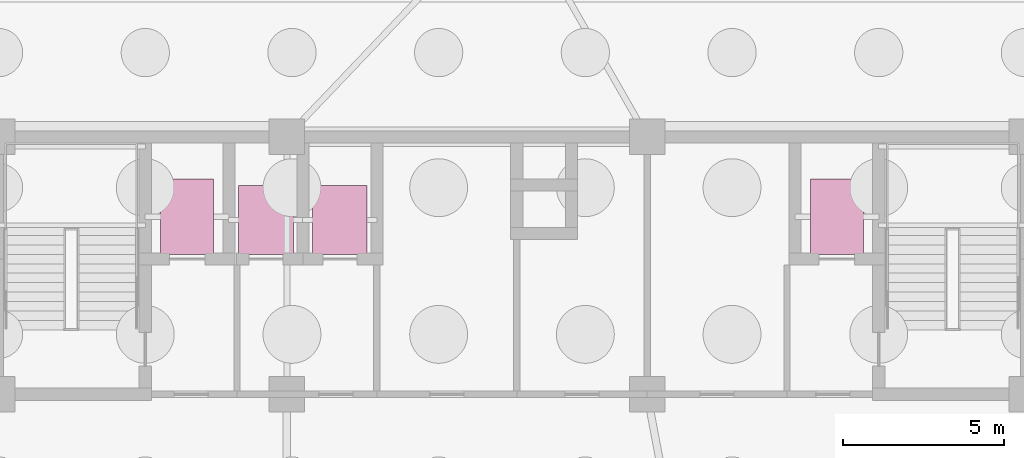
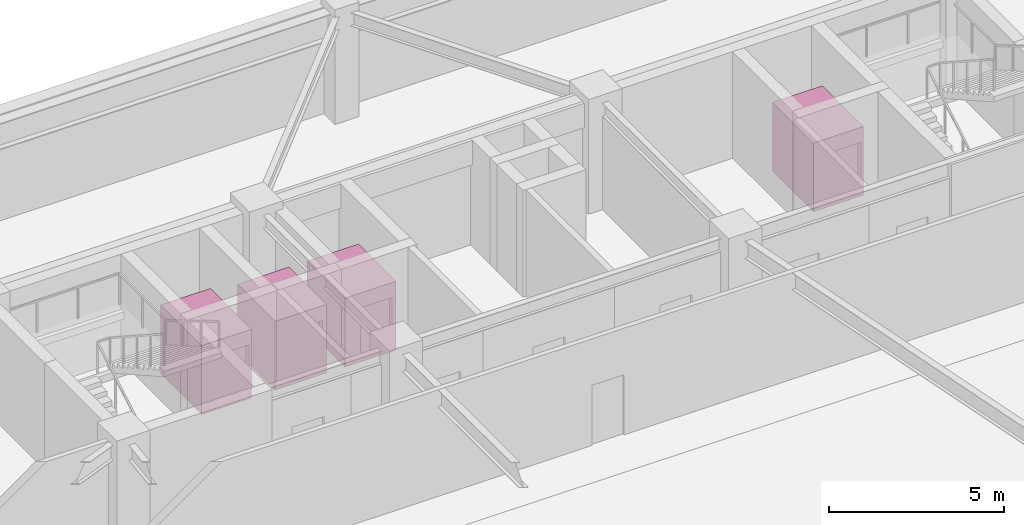
# One storey, part 10 of 10: 4 transport elements.
"""IFC4 building model written with IfcOpenShell, lengths in metres."""

import ifcopenshell
import ifcopenshell.guid

model = None  # the IFC model being written
_history = None  # IfcOwnerHistory: only IFC2X3 demands one
_inside = {}  # id of a spatial element -> (the spatial element, [elements in it])
_under = {}  # id of a project, library or spatial element -> (it, [spatial elements below it])
_declared = {}  # id of a project -> (the project, [libraries it declares])
_typed = {}  # id of a type object -> (the type object, [elements of that type])
_made_of = {}  # id of a material, layer set ... -> (it, [elements and type objects made of it])


def new_model(schema):
    """Start an empty IFC model of exactly this schema.

    Asked for "IFC4X3", IfcOpenShell would pick the latest addendum, in which some entities
    have other attributes; the version numbers below select the first issue.
    IFC2X3 requires an IfcOwnerHistory on every rooted entity: one is made here for all.
    """
    global model, _history
    if schema == "IFC4X3":
        model = ifcopenshell.file(schema_version=(4, 3, 0, 0))
    else:
        model = ifcopenshell.file(schema=schema)
    _inside.clear()
    _under.clear()
    _declared.clear()
    _typed.clear()
    _made_of.clear()
    _history = None
    if model.schema == "IFC2X3":
        org = make("IfcOrganization", Name="unknown")
        user = make(
            "IfcPersonAndOrganization",
            ThePerson=make("IfcPerson", FamilyName="unknown"),
            TheOrganization=org,
        )
        app = make(
            "IfcApplication",
            ApplicationDeveloper=org,
            Version="unknown",
            ApplicationFullName="unknown",
            ApplicationIdentifier="unknown",
        )
        _history = make(
            "IfcOwnerHistory",
            OwningUser=user,
            OwningApplication=app,
            ChangeAction="ADDED",
            CreationDate=0,
        )
    return model


def make(cls, **values):
    """One entity of the class cls with the attributes given. An attribute that is None is left unset."""
    return model.create_entity(
        cls, **{name: value for name, value in values.items() if value is not None}
    )


def rooted(cls, **values):
    """An entity with a GlobalId (a new one), such as an element, a storey or a relation."""
    return make(cls, GlobalId=ifcopenshell.guid.new(), OwnerHistory=_history, **values)


def si_unit(unit_type, name, prefix=None):
    """IfcSIUnit, for example si_unit("LENGTHUNIT", "METRE", prefix="MILLI")."""
    return make("IfcSIUnit", UnitType=unit_type, Prefix=prefix, Name=name)


def assignment(units):
    """IfcUnitAssignment: the units of a project."""
    return None if units is None else make("IfcUnitAssignment", Units=units)


def point(xyz):
    """IfcCartesianPoint."""
    return None if xyz is None else make("IfcCartesianPoint", Coordinates=xyz)


def direction(xyz):
    """IfcDirection."""
    return None if xyz is None else make("IfcDirection", DirectionRatios=xyz)


def frame(location, z_axis=None, x_axis=None):
    """IfcAxis2Placement3D, a coordinate frame: its origin and axes. An axis left out is left unset."""
    return make(
        "IfcAxis2Placement3D",
        Location=point(location),
        Axis=direction(z_axis),
        RefDirection=direction(x_axis),
    )


def frame_2d(location, x_axis=None):
    """IfcAxis2Placement2D, a coordinate frame in the plane: its origin and x axis."""
    return make(
        "IfcAxis2Placement2D", Location=point(location), RefDirection=direction(x_axis)
    )


def origin():
    """The frame at (0, 0, 0) with its axes left unset."""
    return frame((0.0, 0.0, 0.0))


def origin_2d():
    """The frame at (0, 0) in the plane with its x axis left unset."""
    return frame_2d((0.0, 0.0))


def place(relative_to, where):
    """IfcLocalPlacement: puts the frame where relative to a parent placement (None: the world)."""
    return make(
        "IfcLocalPlacement", PlacementRelTo=relative_to, RelativePlacement=where
    )


def context(
    kind, dimensions, precision=None, world=None, true_north=None, identifier=None
):
    """IfcGeometricRepresentationContext, for example the 3D "Model" context."""
    return make(
        "IfcGeometricRepresentationContext",
        ContextIdentifier=identifier,
        ContextType=kind,
        CoordinateSpaceDimension=dimensions,
        Precision=precision,
        WorldCoordinateSystem=world,
        TrueNorth=true_north,
    )


def subcontext(parent, identifier, kind, view, scale=None):
    """IfcGeometricRepresentationSubContext, for example "Body" below "Model"."""
    return make(
        "IfcGeometricRepresentationSubContext",
        ContextIdentifier=identifier,
        ContextType=kind,
        ParentContext=parent,
        TargetScale=scale,
        TargetView=view,
    )


def project(units=None, contexts=None):
    """IfcProject with its units and contexts."""
    return rooted(
        "IfcProject",
        Name="project",
        RepresentationContexts=contexts,
        UnitsInContext=assignment(units),
    )


def spatial(cls, under=None, at=None, **own):
    """A site, building, storey or space (cls), placed at a placement, below another one or the project."""
    s = rooted(cls, ObjectPlacement=at, **own)
    if under is not None:
        _under.setdefault(under.id(), (under, []))[1].append(s)
    return s


def profile(cls, at=None, kind="AREA", **sizes):
    """A parametric profile (cls). Its sizes go by their IFC names, for example OverallWidth=200.0."""
    return make(cls, ProfileType=kind, Position=at, **sizes)


def rectangle(**sizes):
    """IfcRectangleProfileDef."""
    return profile("IfcRectangleProfileDef", **sizes)


def extrude(swept, where, along, depth):
    """IfcExtrudedAreaSolid: the profile swept, set in the frame where, extruded along a direction by depth."""
    return make(
        "IfcExtrudedAreaSolid",
        SweptArea=swept,
        Position=where,
        ExtrudedDirection=direction(along),
        Depth=depth,
    )


def shape(context_of_items, identifier, shape_type, items):
    """IfcShapeRepresentation: the items that make up one representation, for example the "Body"."""
    return make(
        "IfcShapeRepresentation",
        ContextOfItems=context_of_items,
        RepresentationIdentifier=identifier,
        RepresentationType=shape_type,
        Items=items,
    )


def source(mapping_origin, context_of_items, identifier, shape_type, items):
    """IfcRepresentationMap: a shape defined once, which mapped items show again and again."""
    return make(
        "IfcRepresentationMap",
        MappingOrigin=mapping_origin,
        MappedRepresentation=shape(context_of_items, identifier, shape_type, items),
    )


def transform(
    local_origin,
    x_axis=None,
    y_axis=None,
    z_axis=None,
    scale=None,
    scale2=None,
    scale3=None,
    uniform=True,
):
    """IfcCartesianTransformationOperator3D, or its non-uniform kind. x_axis, y_axis, z_axis: its Axis1, 2, 3."""
    if uniform:
        return make(
            "IfcCartesianTransformationOperator3D",
            Axis1=direction(x_axis),
            Axis2=direction(y_axis),
            LocalOrigin=point(local_origin),
            Scale=scale,
            Axis3=direction(z_axis),
        )
    return make(
        "IfcCartesianTransformationOperator3DnonUniform",
        Axis1=direction(x_axis),
        Axis2=direction(y_axis),
        LocalOrigin=point(local_origin),
        Scale=scale,
        Axis3=direction(z_axis),
        Scale2=scale2,
        Scale3=scale3,
    )


def mapped(mapping_source, mapping_target):
    """IfcMappedItem: shows the shape of a source again, moved by a transform."""
    return make(
        "IfcMappedItem", MappingSource=mapping_source, MappingTarget=mapping_target
    )


def material(Name=None, Category=None):
    """IfcMaterial."""
    return make("IfcMaterial", Name=Name, Category=Category)


def made_of(thing, what):
    """Note that an element or type object is made of a material, layer set ...; save() writes the relation."""
    if what is not None:
        _made_of.setdefault(what.id(), (what, []))[1].append(thing)
    return thing


def type_object(cls, material=None, **own):
    """A type object (cls), such as IfcWallType, which elements share."""
    return made_of(rooted(cls, **own), material)


def element(
    cls,
    number,
    at=None,
    inside=None,
    cuts=None,
    type_object=None,
    material=None,
    context=None,
    identifier="Body",
    shape_type=None,
    held_by="IfcProductDefinitionShape",
    body=None,
    shapes=None,
    **own,
):
    """One element of the class cls, such as IfcWall. Its Tag is "e" and its number.

    at: its placement. inside: the storey or other place that contains it. cuts: it is an
    opening in that element (IfcRelVoidsElement). A single representation is given by context,
    identifier, shape_type and body (its items); several are given by shapes. held_by: the class
    of the entity that holds the representations. save() writes the other relations.
    """
    e = rooted(cls, Tag="e%d" % number, ObjectPlacement=at, **own)
    if body is not None:
        shapes = [shape(context, identifier, shape_type, body)]
    if shapes is not None:
        e.Representation = make(held_by, Representations=shapes)
    if inside is not None:
        _inside.setdefault(inside.id(), (inside, []))[1].append(e)
    if cuts is not None:
        rooted(
            "IfcRelVoidsElement", RelatingBuildingElement=cuts, RelatedOpeningElement=e
        )
    if type_object is not None:
        _typed.setdefault(type_object.id(), (type_object, []))[1].append(e)
    return made_of(e, material)


def aggregate(whole, parts):
    """IfcRelAggregates: a whole, such as a stair, and the parts it consists of."""
    return rooted("IfcRelAggregates", RelatingObject=whole, RelatedObjects=parts)


def save(model, path):
    """Write the relations noted so far, then the file.

    IfcRelAggregates (storeys below a building ...), IfcRelContainedInSpatialStructure (elements
    in a storey), IfcRelDefinesByType, IfcRelAssociatesMaterial and IfcRelDeclares: one each for
    every whole, place, type object, material and project.
    """
    for whole, parts in _under.values():
        aggregate(whole, parts)
    for where, things in _inside.values():
        rooted(
            "IfcRelContainedInSpatialStructure",
            RelatedElements=things,
            RelatingStructure=where,
        )
    for kind, things in _typed.values():
        rooted("IfcRelDefinesByType", RelatedObjects=things, RelatingType=kind)
    for what, things in _made_of.values():
        rooted("IfcRelAssociatesMaterial", RelatedObjects=things, RelatingMaterial=what)
    for by, libraries in _declared.values():
        rooted("IfcRelDeclares", RelatingContext=by, RelatedDefinitions=libraries)
    model.write(path)


model = new_model("IFC4")

# Units and contexts
model_context = context("Model", 3, precision=1e-05, world=origin(), true_north=direction((0.0, 1.0)))
body_context = subcontext(model_context, "Body", "Model", "MODEL_VIEW")
ifc_project = project(units=[si_unit("LENGTHUNIT", "METRE"), si_unit("AREAUNIT", "SQUARE_METRE"), si_unit("VOLUMEUNIT", "CUBIC_METRE"), si_unit("PLANEANGLEUNIT", "RADIAN"), si_unit("MASSUNIT", "GRAM", prefix="KILO")], contexts=[model_context])

# Site, building, storey
site_placement = place(None, origin())
site = spatial("IfcSite", under=ifc_project, at=site_placement, CompositionType="ELEMENT")
building_placement = place(site_placement, origin())
building = spatial("IfcBuilding", under=site, at=building_placement, Name="Taldren Reach Tower", CompositionType="ELEMENT")
storey_placement = place(building_placement, frame((0.0, 0.0, -8.0)))
storey = spatial("IfcBuildingStorey", under=building, at=storey_placement, Name="B2", CompositionType="ELEMENT", Elevation=-8.0)

# Transport elements
ifc_material_1 = material(Name="Stainless Steel Gr 316 Stretcher and Fire-Fighting Lift Car", Category="steel")
transport_element_type_1 = type_object("IfcTransportElementType", Name="LIFT-EMG-1800", PredefinedType="ELEVATOR", material=ifc_material_1)
shared_shape_1 = source(origin(), body_context, "Body", "SweptSolid", [
    extrude(rectangle(XDim=1.64990234375, YDim=2.35009765625, at=origin_2d()), origin(), (0.0, 0.0, 1.0), 2.39990234375),
])
for number, where, z_axis, x_axis, name in (
    (1, (24.89990234375, 29.514892578125, 0.0), (0.0, 0.0, 1.0), (1.0, 0.0, 0.0), "Emergency Stretcher Lift FL1"),
    (2, (45.10009765625, 29.514892578125, 0.0), (0.0, 0.0, 1.0), (1.0, 0.0, 0.0), "Emergency Stretcher Lift FL2"),
):
    element("IfcTransportElement", number, at=place(storey_placement, frame(where, z_axis=z_axis, x_axis=x_axis)), inside=storey, type_object=transport_element_type_1, Name=name, PredefinedType="ELEVATOR", context=body_context, shape_type="MappedRepresentation", body=[
        mapped(shared_shape_1, transform((0.0, 0.0, 0.0), scale=1.0)),
    ])
ifc_material_2 = material(Name="Brushed Champagne Stainless Passenger Lift Car")
transport_element_type_2 = type_object("IfcTransportElementType", Name="LIFT-PAS-1600", PredefinedType="ELEVATOR", material=ifc_material_2)
shared_shape_2 = source(origin(), body_context, "Body", "SweptSolid", [
    extrude(rectangle(XDim=1.699951171875, YDim=2.14990234375, at=origin_2d()), origin(), (0.0, 0.0, 1.0), 2.39990234375),
])
for number, where, z_axis, x_axis, name in (
    (3, (27.35009765625, 29.4150390625, 0.0), (0.0, 0.0, 1.0), (1.0, 0.0, 0.0), "Low-Rise Passenger Lift PL1"),
    (4, (29.64990234375, 29.4150390625, 0.0), (0.0, 0.0, 1.0), (1.0, 0.0, 0.0), "Low-Rise Passenger Lift PL2"),
):
    element("IfcTransportElement", number, at=place(storey_placement, frame(where, z_axis=z_axis, x_axis=x_axis)), inside=storey, type_object=transport_element_type_2, Name=name, PredefinedType="ELEVATOR", context=body_context, shape_type="MappedRepresentation", body=[
        mapped(shared_shape_2, transform((0.0, 0.0, 0.0), scale=1.0)),
    ])

save(model, "model.ifc")
